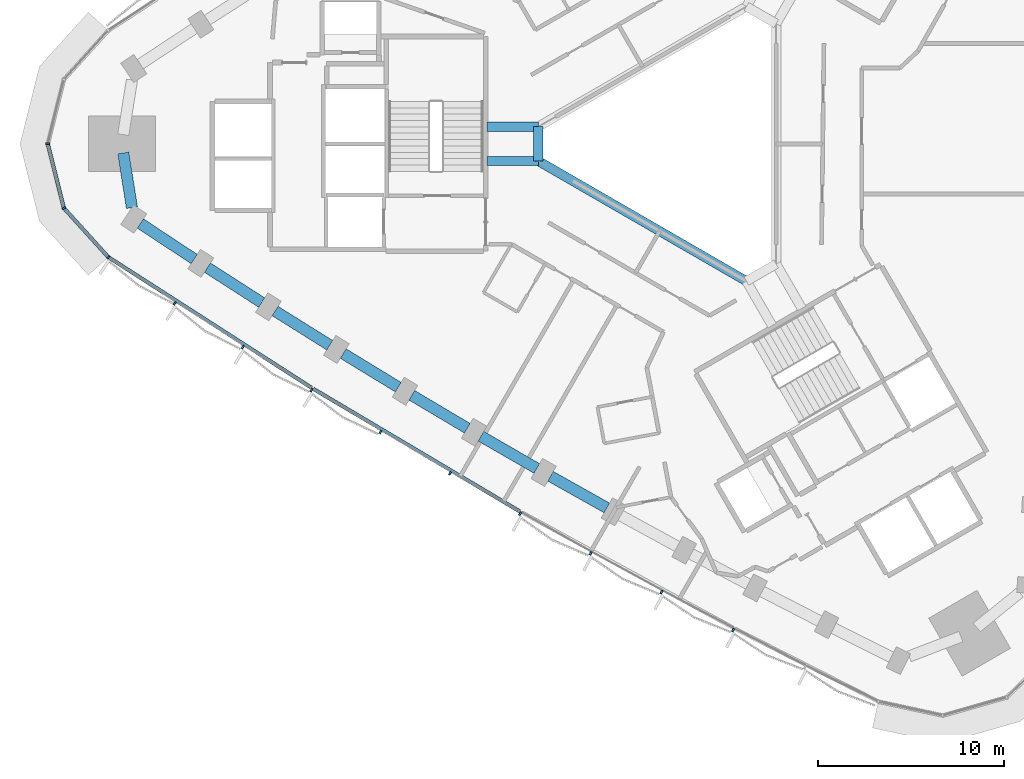
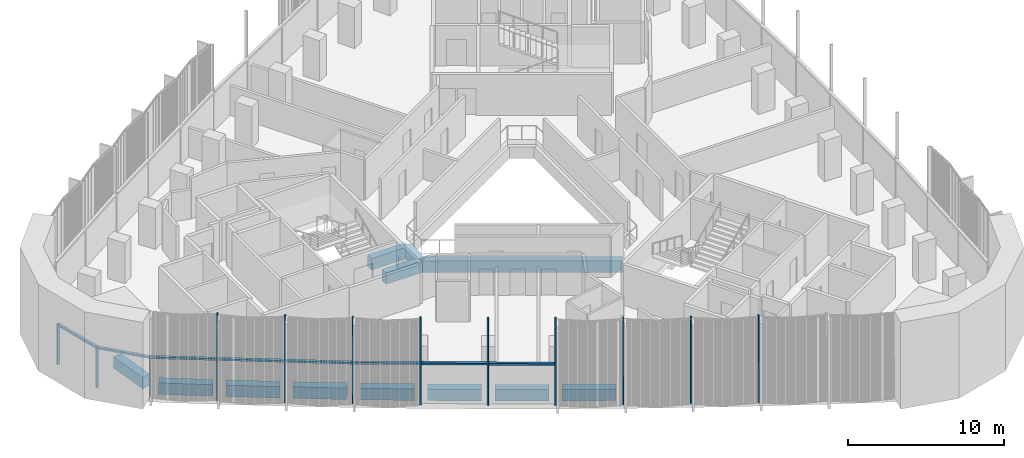
# One storey, part 2 of 14: 16 members, 12 beams, 2 elements without a shape of their own.
"""IFC4 building model written with IfcOpenShell, lengths in metres."""

from ifc_helpers import new_model, si_unit, direction, frame, origin, origin_2d, place, context, subcontext, project, spatial, rectangle, extrude, material, material_profile, profile_set, type_object, element, aggregate, save


model = new_model("IFC4")

# Units and contexts
model_context = context("Model", 3, precision=1e-05, world=origin(), true_north=direction((0.0, 1.0)))
body_context = subcontext(model_context, "Body", "Model", "MODEL_VIEW")
ifc_project = project(units=[si_unit("LENGTHUNIT", "METRE"), si_unit("AREAUNIT", "SQUARE_METRE"), si_unit("VOLUMEUNIT", "CUBIC_METRE"), si_unit("PLANEANGLEUNIT", "RADIAN"), si_unit("MASSUNIT", "GRAM", prefix="KILO")], contexts=[model_context])

# Site, building, storey
site_placement = place(None, origin())
site = spatial("IfcSite", under=ifc_project, at=site_placement, CompositionType="ELEMENT")
building_placement = place(site_placement, origin())
building = spatial("IfcBuilding", under=site, at=building_placement, Name="Tamra Quay Hotel Tower", CompositionType="ELEMENT")
storey_placement = place(building_placement, frame((0.0, 0.0, 139.60009765625)))
storey = spatial("IfcBuildingStorey", under=building, at=storey_placement, Name="L34", CompositionType="ELEMENT", Elevation=139.60009765625)

# Beams
ifc_material_1 = material(Name="Concrete M60", Category="concrete")
ifc_material_profile_1 = material_profile(ifc_material_1, rectangle(XDim=0.5, YDim=0.89990234375, at=origin_2d()), Name="ATRIUM EDGE BEAM RC 500x900")
ifc_profile_set_1 = profile_set([ifc_material_profile_1], Name="Concrete M60")
beam_type_1 = type_object("IfcBeamType", Name="ATRIUM EDGE BEAM RC 500x900", PredefinedType="BEAM", material=ifc_profile_set_1)
beam_1_placement = place(storey_placement, frame((3.199951171875, -7.39013671875, -0.85009765625), z_axis=(-0.866024942741, 0.500000798549, 0.0), x_axis=(-0.500000798549, -0.866024942741, 0.0)))
element("IfcBeam", 1, at=beam_1_placement, inside=storey, type_object=beam_type_1, Name="BM-AB2-L34", PredefinedType="BEAM", context=body_context, shape_type="SweptSolid", body=[
    extrude(rectangle(XDim=0.5, YDim=0.89990234375, at=origin_2d()), origin(), (0.0, 0.0, 1.0), 12.9326171875),
])
beam_2_placement = place(storey_placement, frame((-8.0, -0.923828125, -0.85009765625), z_axis=(0.0, 1.0, 0.0), x_axis=(-1.0, 0.0, 0.0)))
element("IfcBeam", 2, at=beam_2_placement, inside=storey, type_object=beam_type_1, Name="BM-AB3-L34", PredefinedType="BEAM", context=body_context, shape_type="SweptSolid", body=[
    extrude(rectangle(XDim=0.5, YDim=0.89990234375, at=origin_2d()), origin(), (0.0, 0.0, 1.0), 1.84765625),
])
ifc_material_profile_2 = material_profile(ifc_material_1, rectangle(XDim=0.5, YDim=0.89990234375, at=origin_2d()), Name="ATRIUM TIE BEAM RC 500x900")
ifc_profile_set_2 = profile_set([ifc_material_profile_2], Name="Concrete M60")
beam_type_2 = type_object("IfcBeamType", Name="ATRIUM TIE BEAM RC 500x900", PredefinedType="BEAM", material=ifc_profile_set_2)
for number, where, z_axis, x_axis, name in (
    (3, (-8.0, -0.923828125, -0.85009765625), (-1.0, 0.0, 0.0), (0.0, -1.0, 0.0), "BM-TIE-3-L34"),
    (4, (-8.0, 0.923828125, -0.85009765625), (-1.0, 0.0, 0.0), (0.0, -1.0, 0.0), "BM-TIE-4-L34"),
):
    element("IfcBeam", number, at=place(storey_placement, frame(where, z_axis=z_axis, x_axis=x_axis)), inside=storey, type_object=beam_type_2, Name=name, PredefinedType="BEAM", context=body_context, shape_type="SweptSolid", body=[
        extrude(rectangle(XDim=0.5, YDim=0.89990234375, at=origin_2d()), origin(), (0.0, 0.0, 1.0), 2.76220703125),
    ])

# Curtain wall, members
ifc_material_2 = material(Name="Aluminium 6063 anodised dark grey", Category="aluminium")
curtain_wall_type_1 = type_object("IfcCurtainWallType", Name="CW2 CURTAIN WALL", PredefinedType="NOTDEFINED", material=ifc_material_2)
curtain_wall_1_placement = place(storey_placement, origin())
curtain_wall_1 = element("IfcCurtainWall", 5, at=curtain_wall_1_placement, inside=storey, type_object=curtain_wall_type_1, Name="CW2 north-west face L34", PredefinedType="NOTDEFINED")
ifc_material_profile_3 = material_profile(ifc_material_2, rectangle(XDim=0.199951171875, YDim=0.10009765625, at=origin_2d()), Name="MULLION 100X200")
ifc_profile_set_3 = profile_set([ifc_material_profile_3], Name="Aluminium 6063 anodised dark grey")
member_type_1 = type_object("IfcMemberType", Name="MULLION CW2 Z3", PredefinedType="MULLION", material=ifc_profile_set_3)
member_1_placement = place(storey_placement, frame((-34.39990234375, 0.0, 0.0), z_axis=(0.0, 0.0, 1.0), x_axis=(-1.0, 0.0, 0.0)))
member_1 = element("IfcMember", 6, at=member_1_placement, type_object=member_type_1, Name="CW2 mullion L34.NW.14", PredefinedType="MULLION", context=body_context, shape_type="SweptSolid", body=[
    extrude(rectangle(XDim=0.199951171875, YDim=0.10009765625, at=origin_2d()), origin(), (0.0, 0.0, 1.0), 3.199951171875),
])
member_2_placement = place(storey_placement, frame((-33.533935546875, -3.4580078125, 0.0), z_axis=(0.0, 0.0, 1.0), x_axis=(-0.881925145425, -0.47138947577, 0.0)))
member_2 = element("IfcMember", 7, at=member_2_placement, type_object=member_type_1, Name="CW2 mullion L34.NW.15", PredefinedType="MULLION", context=body_context, shape_type="SweptSolid", body=[
    extrude(rectangle(XDim=0.199951171875, YDim=0.10009765625, at=origin_2d()), origin(), (0.0, 0.0, 1.0), 3.199951171875),
])

curtain_wall_type_2 = type_object("IfcCurtainWallType", Name="CW3 CURTAIN WALL", PredefinedType="NOTDEFINED", material=ifc_material_2)
curtain_wall_2_placement = place(storey_placement, origin())
curtain_wall_2 = element("IfcCurtainWall", 8, at=curtain_wall_2_placement, inside=storey, type_object=curtain_wall_type_2, Name="CW3 south-west face L34", PredefinedType="NOTDEFINED")
ifc_material_profile_4 = material_profile(ifc_material_2, rectangle(XDim=0.199951171875, YDim=0.10009765625, at=origin_2d()), Name="MULLION 100X200")
ifc_profile_set_4 = profile_set([ifc_material_profile_4], Name="Aluminium 6063 anodised dark grey")
member_type_2 = type_object("IfcMemberType", Name="MULLION CW3 Z3", PredefinedType="MULLION", material=ifc_profile_set_4)
member_3_placement = place(storey_placement, frame((-31.139892578125, -6.099365234375, 0.0), z_axis=(0.0, 0.0, 1.0), x_axis=(-0.650989203966, -0.759086988638, 0.0)))
member_3 = element("IfcMember", 9, at=member_3_placement, type_object=member_type_2, Name="CW3 mullion L34.SW.1", PredefinedType="MULLION", context=body_context, shape_type="SweptSolid", body=[
    extrude(rectangle(XDim=0.199951171875, YDim=0.10009765625, at=origin_2d()), origin(), (0.0, 0.0, 1.0), 3.199951171875),
])
member_4_placement = place(storey_placement, frame((-27.562255859375, -8.580078125, 0.0), z_axis=(0.0, 0.0, 1.0), x_axis=(-0.545780333841, -0.83792829478, 0.0)))
member_4 = element("IfcMember", 10, at=member_4_placement, type_object=member_type_2, Name="CW3 mullion L34.SW.2", PredefinedType="MULLION", context=body_context, shape_type="SweptSolid", body=[
    extrude(rectangle(XDim=0.199951171875, YDim=0.10009765625, at=origin_2d()), origin(), (0.0, 0.0, 1.0), 6.7998046875),
])
member_5_placement = place(storey_placement, frame((-23.9013671875, -10.93359375, 0.0), z_axis=(0.0, 0.0, 1.0), x_axis=(-0.535760469724, -0.844370013135, 0.0)))
member_5 = element("IfcMember", 11, at=member_5_placement, type_object=member_type_2, Name="CW3 mullion L34.SW.3", PredefinedType="MULLION", context=body_context, shape_type="SweptSolid", body=[
    extrude(rectangle(XDim=0.199951171875, YDim=0.10009765625, at=origin_2d()), origin(), (0.0, 0.0, 1.0), 6.7998046875),
])
member_6_placement = place(storey_placement, frame((-20.211181640625, -13.244140625, 0.0), z_axis=(0.0, 0.0, 1.0), x_axis=(-0.525646070237, -0.850703361251, 0.0)))
member_6 = element("IfcMember", 12, at=member_6_placement, type_object=member_type_2, Name="CW3 mullion L34.SW.4", PredefinedType="MULLION", context=body_context, shape_type="SweptSolid", body=[
    extrude(rectangle(XDim=0.199951171875, YDim=0.10009765625, at=origin_2d()), origin(), (0.0, 0.0, 1.0), 6.7998046875),
])
member_7_placement = place(storey_placement, frame((-16.493896484375, -15.510498046875, 0.0), z_axis=(0.0, 0.0, 1.0), x_axis=(-0.515444608831, -0.856922899231, 0.0)))
member_7 = element("IfcMember", 13, at=member_7_placement, type_object=member_type_2, Name="CW3 mullion L34.SW.5", PredefinedType="MULLION", context=body_context, shape_type="SweptSolid", body=[
    extrude(rectangle(XDim=0.199951171875, YDim=0.10009765625, at=origin_2d()), origin(), (0.0, 0.0, 1.0), 6.7998046875),
])
member_8_placement = place(storey_placement, frame((-12.7509765625, -17.731689453125, 0.0), z_axis=(0.0, 0.0, 1.0), x_axis=(-0.505168628897, -0.863020658141, 0.0)))
member_8 = element("IfcMember", 14, at=member_8_placement, type_object=member_type_2, Name="CW3 mullion L34.SW.6", PredefinedType="MULLION", context=body_context, shape_type="SweptSolid", body=[
    extrude(rectangle(XDim=0.199951171875, YDim=0.10009765625, at=origin_2d()), origin(), (0.0, 0.0, 1.0), 6.7998046875),
])
member_9_placement = place(storey_placement, frame((-8.98046875, -19.908447265625, 0.0), z_axis=(0.0, 0.0, 1.0), x_axis=(-0.494813499493, -0.86899919489, 0.0)))
member_9 = element("IfcMember", 15, at=member_9_placement, type_object=member_type_2, Name="CW3 mullion L34.SW.7", PredefinedType="MULLION", context=body_context, shape_type="SweptSolid", body=[
    extrude(rectangle(XDim=0.199951171875, YDim=0.10009765625, at=origin_2d()), origin(), (0.0, 0.0, 1.0), 6.7998046875),
])
member_10_placement = place(storey_placement, frame((-5.185546875, -22.039306640625, 0.0), z_axis=(0.0, 0.0, 1.0), x_axis=(-0.484394695404, -0.874849575107, 0.0)))
member_10 = element("IfcMember", 16, at=member_10_placement, type_object=member_type_2, Name="CW3 mullion L34.SW.8", PredefinedType="MULLION", context=body_context, shape_type="SweptSolid", body=[
    extrude(rectangle(XDim=0.199951171875, YDim=0.10009765625, at=origin_2d()), origin(), (0.0, 0.0, 1.0), 6.7998046875),
])
member_11_placement = place(storey_placement, frame((-1.3642578125, -24.12548828125, 0.0), z_axis=(0.0, 0.0, 1.0), x_axis=(-0.47390768681, -0.88057453085, 0.0)))
member_11 = element("IfcMember", 17, at=member_11_placement, type_object=member_type_2, Name="CW3 mullion L34.SW.9", PredefinedType="MULLION", context=body_context, shape_type="SweptSolid", body=[
    extrude(rectangle(XDim=0.199951171875, YDim=0.10009765625, at=origin_2d()), origin(), (0.0, 0.0, 1.0), 6.7998046875),
])
member_12_placement = place(storey_placement, frame((2.48193359375, -26.166015625, 0.0), z_axis=(0.0, 0.0, 1.0), x_axis=(-0.463365646706, -0.886167183692, 0.0)))
member_12 = element("IfcMember", 18, at=member_12_placement, type_object=member_type_2, Name="CW3 mullion L34.SW.10", PredefinedType="MULLION", context=body_context, shape_type="SweptSolid", body=[
    extrude(rectangle(XDim=0.199951171875, YDim=0.10009765625, at=origin_2d()), origin(), (0.0, 0.0, 1.0), 6.7998046875),
])

# Beams
ifc_material_profile_5 = material_profile(ifc_material_1, rectangle(XDim=0.60009765625, YDim=0.89990234375, at=origin_2d()), Name="SPANDREL BEAM RC 600x900")
ifc_profile_set_5 = profile_set([ifc_material_profile_5], Name="Concrete M60")
beam_type_3 = type_object("IfcBeamType", Name="SPANDREL BEAM RC 600x900", PredefinedType="SPANDREL", material=ifc_profile_set_5)
beam_3_placement = place(storey_placement, frame((-30.336181640625, -0.493408203125, -0.85009765625), z_axis=(0.156337236308, -0.987703735208, 0.0), x_axis=(0.987703735208, 0.156337236308, 0.0)))
element("IfcBeam", 19, at=beam_3_placement, inside=storey, type_object=beam_type_3, Name="BM-SP3-025-L34", PredefinedType="SPANDREL", context=body_context, shape_type="SweptSolid", body=[
    extrude(rectangle(XDim=0.60009765625, YDim=0.89990234375, at=origin_2d()), origin(), (0.0, 0.0, 1.0), 2.97802734375),
])
beam_4_placement = place(storey_placement, frame((-29.41796875, -4.28759765625, -0.85009765625), z_axis=(0.834690851507, -0.55071878705, 0.0), x_axis=(0.55071878705, 0.834690851507, 0.0)))
element("IfcBeam", 20, at=beam_4_placement, inside=storey, type_object=beam_type_3, Name="BM-SP3-026-L34", PredefinedType="SPANDREL", context=body_context, shape_type="SweptSolid", body=[
    extrude(rectangle(XDim=0.60009765625, YDim=0.89990234375, at=origin_2d()), origin(), (0.0, 0.0, 1.0), 3.472412109375),
])
beam_5_placement = place(storey_placement, frame((-25.807373046875, -6.663818359375, -0.85009765625), z_axis=(0.84116020305, -0.540786013878, 0.0), x_axis=(0.540786013878, 0.84116020305, 0.0)))
element("IfcBeam", 21, at=beam_5_placement, inside=storey, type_object=beam_type_3, Name="BM-SP3-027-L34", PredefinedType="SPANDREL", context=body_context, shape_type="SweptSolid", body=[
    extrude(rectangle(XDim=0.60009765625, YDim=0.89990234375, at=origin_2d()), origin(), (0.0, 0.0, 1.0), 3.47314453125),
])
for number, where, z_axis, x_axis, name in (
    (22, (-22.168212890625, -8.997314453125, -0.85009765625), (0.847547681474, -0.530719255, 0.0), (0.530719255, 0.847547681474, 0.0), "BM-SP3-028-L34"),
    (23, (-18.502197265625, -11.287109375, -0.85009765625), (0.853835813207, -0.520542413339, 0.0), (0.520542413339, 0.853835813207, 0.0), "BM-SP3-029-L34"),
):
    element("IfcBeam", number, at=place(storey_placement, frame(where, z_axis=z_axis, x_axis=x_axis)), inside=storey, type_object=beam_type_3, Name=name, PredefinedType="SPANDREL", context=body_context, shape_type="SweptSolid", body=[
        extrude(rectangle(XDim=0.60009765625, YDim=0.89990234375, at=origin_2d()), origin(), (0.0, 0.0, 1.0), 3.47216796875),
    ])
beam_6_placement = place(storey_placement, frame((-14.80908203125, -13.53271484375, -0.85009765625), z_axis=(0.859988767784, -0.510312962098, 0.0), x_axis=(0.510312962098, 0.859988767784, 0.0)))
element("IfcBeam", 24, at=beam_6_placement, inside=storey, type_object=beam_type_3, Name="BM-SP3-030-L34", PredefinedType="SPANDREL", context=body_context, shape_type="SweptSolid", body=[
    extrude(rectangle(XDim=0.60009765625, YDim=0.89990234375, at=origin_2d()), origin(), (0.0, 0.0, 1.0), 3.472900390625),
])
beam_7_placement = place(storey_placement, frame((-11.0888671875, -15.734375, -0.85009765625), z_axis=(0.866032201241, -0.499988226275, 0.0), x_axis=(0.499988226275, 0.866032201241, 0.0)))
element("IfcBeam", 25, at=beam_7_placement, inside=storey, type_object=beam_type_3, Name="BM-SP3-031-L34", PredefinedType="SPANDREL", context=body_context, shape_type="SweptSolid", body=[
    extrude(rectangle(XDim=0.60009765625, YDim=0.89990234375, at=origin_2d()), origin(), (0.0, 0.0, 1.0), 3.47216796875),
])
beam_8_placement = place(storey_placement, frame((-7.34326171875, -17.89111328125, -0.85009765625), z_axis=(0.871956406858, -0.489583521516, 0.0), x_axis=(0.489583521516, 0.871956406858, 0.0)))
element("IfcBeam", 26, at=beam_8_placement, inside=storey, type_object=beam_type_3, Name="BM-SP3-032-L34", PredefinedType="SPANDREL", context=body_context, shape_type="SweptSolid", body=[
    extrude(rectangle(XDim=0.60009765625, YDim=0.89990234375, at=origin_2d()), origin(), (0.0, 0.0, 1.0), 3.47265625),
])

# Member
ifc_material_profile_6 = material_profile(ifc_material_2, rectangle(XDim=0.199951171875, YDim=0.139892578125, at=origin_2d()), Name="TRANSOM 200X140")
ifc_profile_set_6 = profile_set([ifc_material_profile_6], Name="Aluminium 6063 anodised dark grey")
member_type_3 = type_object("IfcMemberType", Name="TRANSOM CW2 Z3", PredefinedType="USERDEFINED", material=ifc_profile_set_6)
member_13_placement = place(storey_placement, frame((-34.387939453125, -0.048583984375, 3.1298828125), z_axis=(0.243032991535, -0.970018023042, 0.0), x_axis=(0.970018023042, 0.243032991535, 0.0)))
member_13 = element("IfcMember", 27, at=member_13_placement, type_object=member_type_3, Name="CW2 transom L34.NW.14", ObjectType="TRANSOM", PredefinedType="USERDEFINED", context=body_context, shape_type="SweptSolid", body=[
    extrude(rectangle(XDim=0.199951171875, YDim=0.139892578125, at=origin_2d()), origin(), (0.0, 0.0, 1.0), 3.464599609375),
])

member_14_placement = place(storey_placement, frame((-33.500244140625, -3.4951171875, 3.1298828125), z_axis=(0.671553275013, -0.740956273217, 0.0), x_axis=(0.740956273217, 0.671553275013, 0.0)))
member_14 = element("IfcMember", 28, at=member_14_placement, type_object=member_type_3, Name="CW2 transom L34.NW.15", ObjectType="TRANSOM", PredefinedType="USERDEFINED", context=body_context, shape_type="SweptSolid", body=[
    extrude(rectangle(XDim=0.199951171875, YDim=0.139892578125, at=origin_2d()), origin(), (0.0, 0.0, 1.0), 3.46484375),
])

aggregate(curtain_wall_1, [member_1, member_13, member_2, member_14])

ifc_material_profile_7 = material_profile(ifc_material_2, rectangle(XDim=0.199951171875, YDim=0.139892578125, at=origin_2d()), Name="TRANSOM 200X140")
ifc_profile_set_7 = profile_set([ifc_material_profile_7], Name="Aluminium 6063 anodised dark grey")
member_type_4 = type_object("IfcMemberType", Name="TRANSOM CW3 Z3", PredefinedType="USERDEFINED", material=ifc_profile_set_7)
member_15_placement = place(storey_placement, frame((-31.09814453125, -6.126953125, 3.1298828125), z_axis=(0.841163779418, -0.54078045101, 0.0), x_axis=(0.54078045101, 0.841163779418, 0.0)))
member_15 = element("IfcMember", 29, at=member_15_placement, type_object=member_type_4, Name="CW3 transom L34.SW.1", ObjectType="TRANSOM", PredefinedType="USERDEFINED", context=body_context, shape_type="SweptSolid", body=[
    extrude(rectangle(XDim=0.199951171875, YDim=0.139892578125, at=origin_2d()), origin(), (0.0, 0.0, 1.0), 12.95458984375),
])

member_16_placement = place(storey_placement, frame((-20.115966796875, -13.18505859375, 3.1298828125), z_axis=(0.859981906486, -0.510324524707, 0.0), x_axis=(0.510324524707, 0.859981906486, 0.0)))
member_16 = element("IfcMember", 30, at=member_16_placement, type_object=member_type_4, Name="CW3 transom L34.SW.4", ObjectType="TRANSOM", PredefinedType="USERDEFINED", context=body_context, shape_type="SweptSolid", body=[
    extrude(rectangle(XDim=0.199951171875, YDim=0.139892578125, at=origin_2d()), origin(), (0.0, 0.0, 1.0), 12.95556640625),
])

aggregate(curtain_wall_2, [member_3, member_15, member_4, member_5, member_6, member_16, member_7, member_8, member_9, member_10, member_11, member_12])

save(model, "model.ifc")
